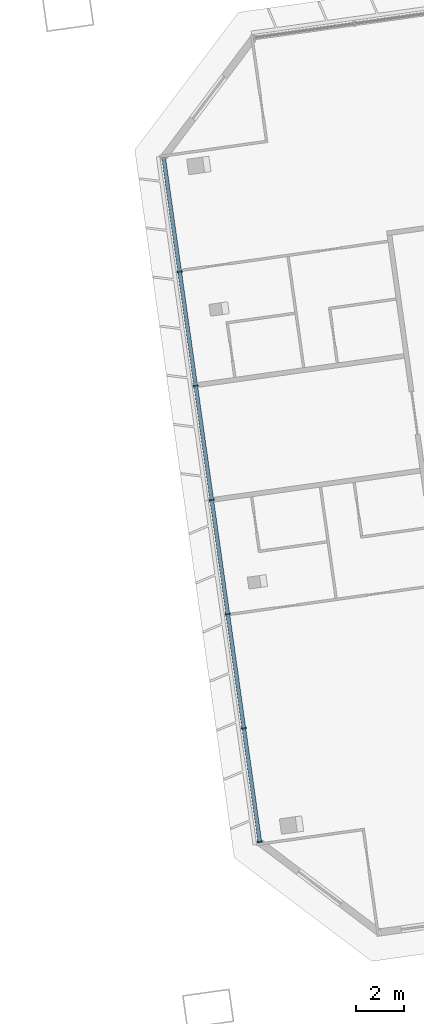
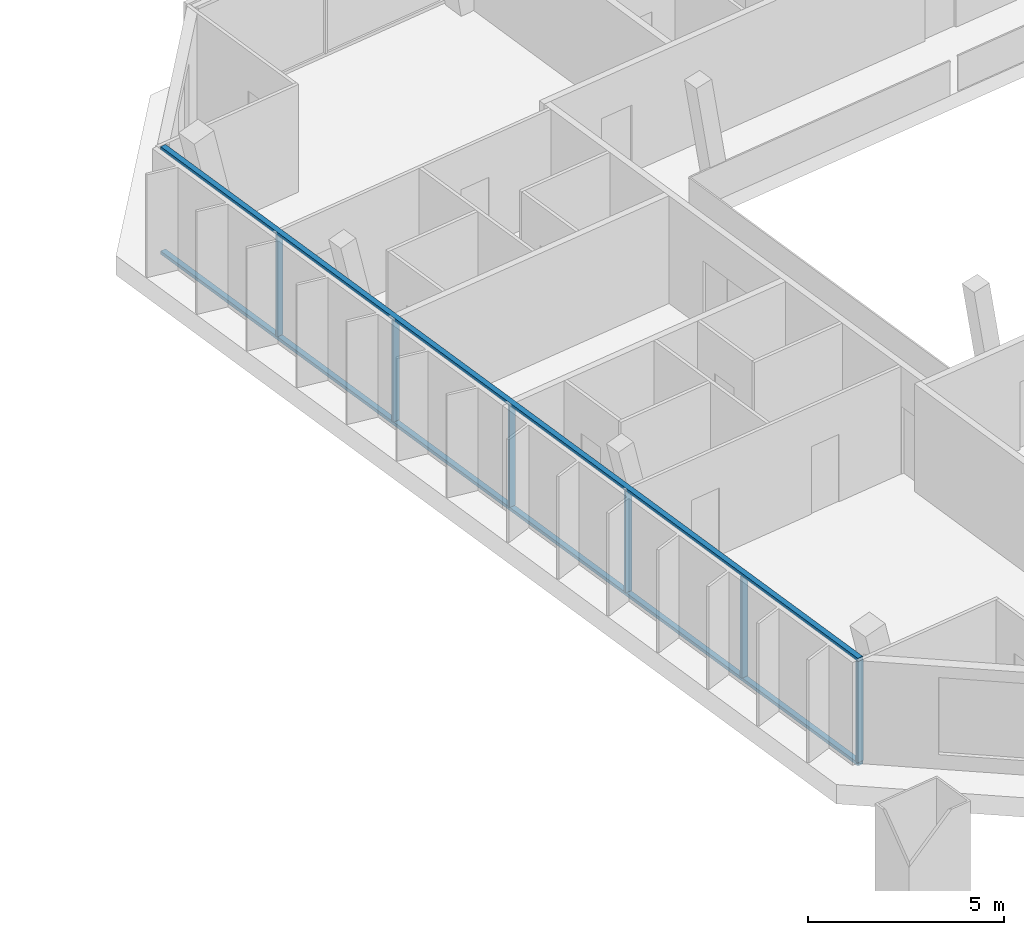
# One storey, part 5 of 17: 8 members, 1 element without a shape of its own.
"""IFC4 building model written with IfcOpenShell, lengths in metres."""

from ifc_helpers import new_model, si_unit, direction, frame, origin, origin_2d, place, context, subcontext, project, spatial, rectangle, extrude, material, material_profile, profile_set, type_object, element, aggregate, save


model = new_model("IFC4")

# Units and contexts
model_context = context("Model", 3, precision=1e-05, world=origin(), true_north=direction((0.0, 1.0)))
body_context = subcontext(model_context, "Body", "Model", "MODEL_VIEW")
ifc_project = project(units=[si_unit("LENGTHUNIT", "METRE"), si_unit("AREAUNIT", "SQUARE_METRE"), si_unit("VOLUMEUNIT", "CUBIC_METRE"), si_unit("PLANEANGLEUNIT", "RADIAN"), si_unit("MASSUNIT", "GRAM", prefix="KILO")], contexts=[model_context])

# Site, building, storey
site_placement = place(None, origin())
site = spatial("IfcSite", under=ifc_project, at=site_placement, CompositionType="ELEMENT")
building_placement = place(site_placement, origin())
building = spatial("IfcBuilding", under=site, at=building_placement, Name="Mirante Cascada Hotel Towers", CompositionType="ELEMENT")
storey_placement = place(building_placement, frame((0.0, 0.0, 250.8)))
storey = spatial("IfcBuildingStorey", under=building, at=storey_placement, Name="L60", CompositionType="ELEMENT", Elevation=250.8)

# Curtain wall, members
ifc_material_1 = material(Name="Aluminium mullion and transom frame with clear laminated glass", Category="aluminium")
curtain_wall_type = type_object("IfcCurtainWallType", Name="End ribbon curtain wall ECW2", PredefinedType="NOTDEFINED", material=ifc_material_1)
curtain_wall_placement = place(storey_placement, origin())
curtain_wall = element("IfcCurtainWall", 1, at=curtain_wall_placement, inside=storey, type_object=curtain_wall_type, Name="Inner end wall T2 L60", PredefinedType="NOTDEFINED")
ifc_material_2 = material(Name="Anodised aluminium extrusion", Category="aluminium")
ifc_material_profile_1 = material_profile(ifc_material_2, rectangle(XDim=0.2, YDim=0.065, at=origin_2d()), Name="ECW2 MULLION 65x200")
ifc_profile_set_1 = profile_set([ifc_material_profile_1], Name="Anodised aluminium extrusion")
member_type_1 = type_object("IfcMemberType", Name="ECW2 mullion 65x200", PredefinedType="MULLION", material=ifc_profile_set_1)
member_1_placement = place(storey_placement, frame((17.0882, 5.9052, 0.1), z_axis=(0.0, 0.0, 1.0), x_axis=(0.9902681, 0.1391731, 0.0)))
member_1 = element("IfcMember", 2, at=member_1_placement, type_object=member_type_1, Name="ECW2 mullion 2", PredefinedType="MULLION", context=body_context, shape_type="SweptSolid", body=[
    extrude(rectangle(XDim=0.2, YDim=0.065, at=origin_2d()), origin(), (0.0, 0.0, 1.0), 3.15),
])
member_2_placement = place(storey_placement, frame((17.758, 1.1394, 0.1), z_axis=(0.0, 0.0, 1.0), x_axis=(0.9902681, 0.1391731, 0.0)))
member_2 = element("IfcMember", 3, at=member_2_placement, type_object=member_type_1, Name="ECW2 mullion 3", PredefinedType="MULLION", context=body_context, shape_type="SweptSolid", body=[
    extrude(rectangle(XDim=0.2, YDim=0.065, at=origin_2d()), origin(), (0.0, 0.0, 1.0), 3.15),
])
member_3_placement = place(storey_placement, frame((18.4278, -3.6264, 0.1), z_axis=(0.0, 0.0, 1.0), x_axis=(0.9902681, 0.1391731, 0.0)))
member_3 = element("IfcMember", 4, at=member_3_placement, type_object=member_type_1, Name="ECW2 mullion 4", PredefinedType="MULLION", context=body_context, shape_type="SweptSolid", body=[
    extrude(rectangle(XDim=0.2, YDim=0.065, at=origin_2d()), origin(), (0.0, 0.0, 1.0), 3.15),
])
member_4_placement = place(storey_placement, frame((19.0976, -8.3922, 0.1), z_axis=(0.0, 0.0, 1.0), x_axis=(0.9902681, 0.1391731, 0.0)))
member_4 = element("IfcMember", 5, at=member_4_placement, type_object=member_type_1, Name="ECW2 mullion 5", PredefinedType="MULLION", context=body_context, shape_type="SweptSolid", body=[
    extrude(rectangle(XDim=0.2, YDim=0.065, at=origin_2d()), origin(), (0.0, 0.0, 1.0), 3.15),
])
member_5_placement = place(storey_placement, frame((19.7674, -13.1579, 0.1), z_axis=(0.0, 0.0, 1.0), x_axis=(0.9902681, 0.1391731, 0.0)))
member_5 = element("IfcMember", 6, at=member_5_placement, type_object=member_type_1, Name="ECW2 mullion 6", PredefinedType="MULLION", context=body_context, shape_type="SweptSolid", body=[
    extrude(rectangle(XDim=0.2, YDim=0.065, at=origin_2d()), origin(), (0.0, 0.0, 1.0), 3.15),
])
member_6_placement = place(storey_placement, frame((20.4326, -17.8915, 0.1), z_axis=(0.0, 0.0, 1.0), x_axis=(0.9902681, 0.1391731, 0.0)))
member_6 = element("IfcMember", 7, at=member_6_placement, type_object=member_type_1, Name="ECW2 mullion 7", PredefinedType="MULLION", context=body_context, shape_type="SweptSolid", body=[
    extrude(rectangle(XDim=0.2, YDim=0.065, at=origin_2d()), origin(), (0.0, 0.0, 1.0), 3.15),
])
ifc_material_3 = material(Name="Anodised aluminium extrusion", Category="aluminium")
ifc_material_profile_2 = material_profile(ifc_material_3, rectangle(XDim=0.16, YDim=0.1, at=origin_2d()), Name="ECW2 TRANSOM 100x160")
ifc_profile_set_2 = profile_set([ifc_material_profile_2], Name="Anodised aluminium extrusion")
member_type_2 = type_object("IfcMemberType", Name="ECW2 transom 100x160", PredefinedType="USERDEFINED", material=ifc_profile_set_2)
member_7_placement = place(storey_placement, frame((16.4184, 10.671, 0.05), z_axis=(0.1391723, -0.9902682, 0.0), x_axis=(0.9902682, 0.1391723, 0.0)))
member_7 = element("IfcMember", 8, at=member_7_placement, type_object=member_type_2, Name="ECW2 sill transom", ObjectType="TRANSOM", PredefinedType="USERDEFINED", context=body_context, shape_type="SweptSolid", body=[
    extrude(rectangle(XDim=0.16, YDim=0.1, at=origin_2d()), origin(), (0.0, 0.0, 1.0), 28.8757),
])
member_8_placement = place(storey_placement, frame((16.4184, 10.671, 3.3), z_axis=(0.1391723, -0.9902682, 0.0), x_axis=(0.9902682, 0.1391723, 0.0)))
member_8 = element("IfcMember", 9, at=member_8_placement, type_object=member_type_2, Name="ECW2 head transom", ObjectType="TRANSOM", PredefinedType="USERDEFINED", context=body_context, shape_type="SweptSolid", body=[
    extrude(rectangle(XDim=0.16, YDim=0.1, at=origin_2d()), origin(), (0.0, 0.0, 1.0), 28.8757),
])
aggregate(curtain_wall, [member_7, member_8, member_1, member_2, member_3, member_4, member_5, member_6])

save(model, "model.ifc")
